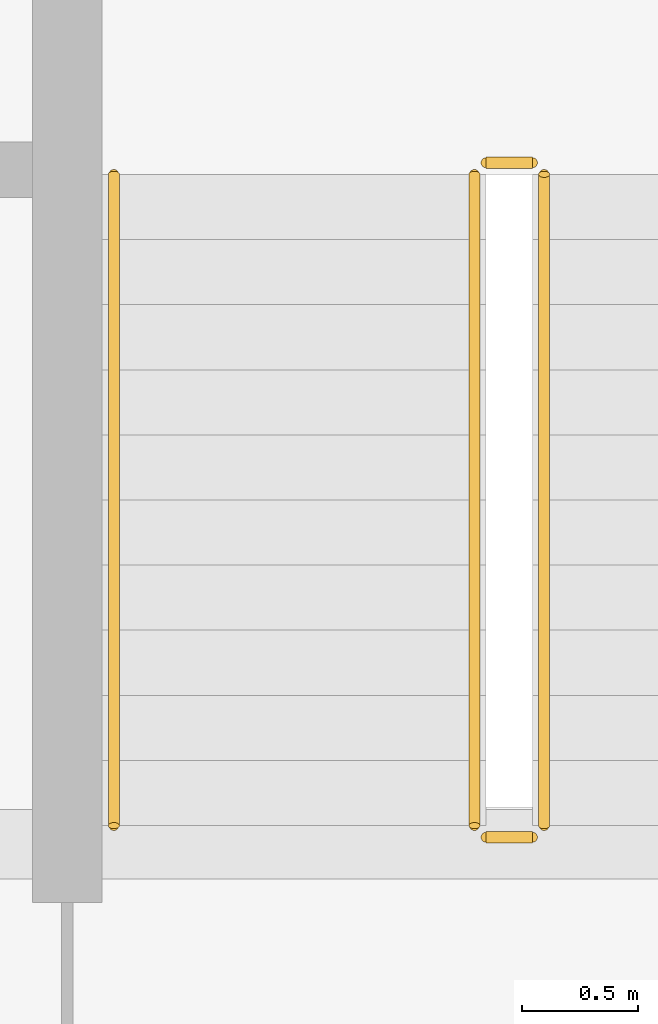
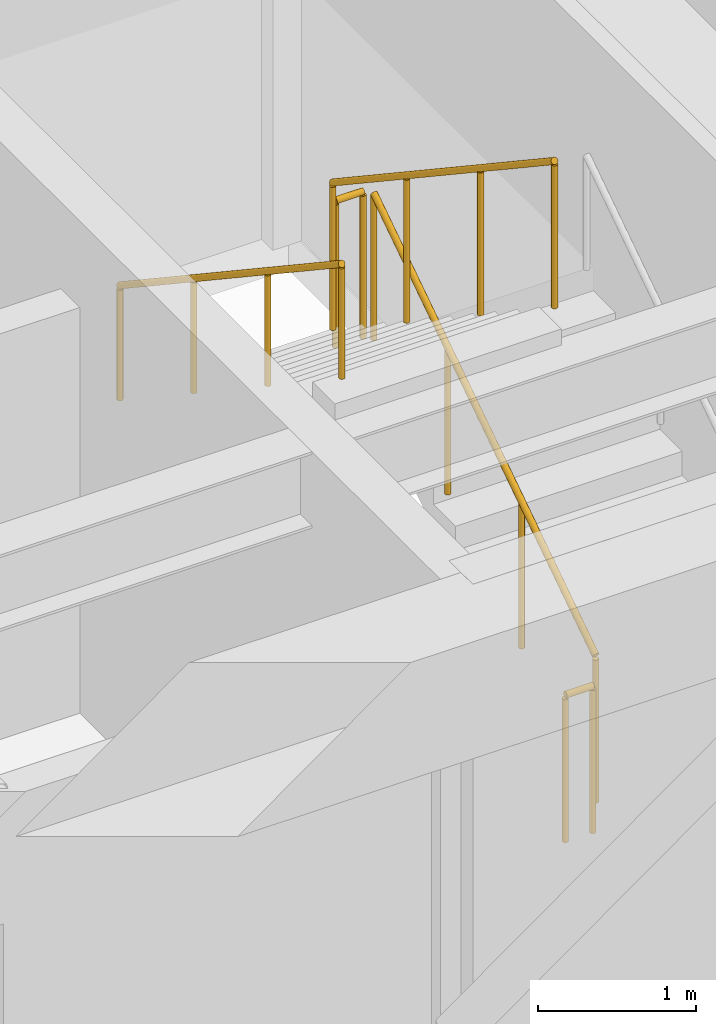
# One storey, part 33 of 34: 5 railings.
"""IFC4 building model written with IfcOpenShell, lengths in metres."""

from ifc_helpers import new_model, si_unit, direction, frame, origin, origin_2d, place, context, subcontext, project, spatial, circle, extrude, source, transform, mapped, material, type_object, type_shapes, element, save


model = new_model("IFC4")

# Units and contexts
model_context = context("Model", 3, precision=1e-05, world=origin(), true_north=direction((0.0, 1.0)))
body_context = subcontext(model_context, "Body", "Model", "MODEL_VIEW")
ifc_project = project(units=[si_unit("LENGTHUNIT", "METRE"), si_unit("AREAUNIT", "SQUARE_METRE"), si_unit("VOLUMEUNIT", "CUBIC_METRE"), si_unit("PLANEANGLEUNIT", "RADIAN"), si_unit("MASSUNIT", "GRAM", prefix="KILO")], contexts=[model_context])

# Site, building, storey
site_placement = place(None, origin())
site = spatial("IfcSite", under=ifc_project, at=site_placement, CompositionType="ELEMENT")
building_placement = place(site_placement, origin())
building = spatial("IfcBuilding", under=site, at=building_placement, Name="Haelvirn Gate Laboratories", CompositionType="ELEMENT")
storey_placement = place(building_placement, frame((0.0, 0.0, 109.199951171875)))
storey = spatial("IfcBuildingStorey", under=building, at=storey_placement, Name="L26", CompositionType="ELEMENT", Elevation=109.199951171875)

# Railings
ifc_material_1 = material(Name="Galvanised steel SM355 & stainless top rail", Category="steel")
railing_type_1 = type_object("IfcRailingType", Name="RL-GUARD-1150", PredefinedType="GUARDRAIL", material=ifc_material_1)
shared_shape_1 = source(origin(), body_context, "Body", "SweptSolid", [
    extrude(circle(Radius=0.02392578125, at=origin_2d()), frame((0.0, 0.0, 1.1259765625), z_axis=(0.0, 0.832485552168, 0.554046753832), x_axis=(-1.0, 0.0, 0.0)), (0.0, 0.0, 1.0), 3.363525390625),
    extrude(circle(Radius=0.02099609375, at=origin_2d()), origin(), (0.0, 0.0, 1.0), 1.101806640625),
    extrude(circle(Radius=0.02099609375, at=origin_2d()), frame((0.0, 0.933349609375, 0.62109375)), (0.0, 0.0, 1.0), 1.101806640625),
    extrude(circle(Radius=0.02099609375, at=origin_2d()), frame((0.0, 1.86669921875, 1.242431640625)), (0.0, 0.0, 1.0), 1.101806640625),
    extrude(circle(Radius=0.02099609375, at=origin_2d()), frame((0.0, 2.800048828125, 1.863525390625)), (0.0, 0.0, 1.0), 1.101806640625),
])
railing_1_placement = place(storey_placement, frame((65.39990234375, 26.699951171875, 0.1865234375)))
element("IfcRailing", 1, at=railing_1_placement, inside=storey, type_object=railing_type_1, Name="L26 ST2 stair guard 1", PredefinedType="GUARDRAIL", context=body_context, shape_type="MappedRepresentation", body=[
    mapped(shared_shape_1, transform((0.0, 0.0, 0.0), scale=1.0)),
])
shared_shape_2 = source(origin(), body_context, "Body", "SweptSolid", [
    extrude(circle(Radius=0.02392578125, at=origin_2d()), frame((0.0, 0.0, 1.1259765625), z_axis=(0.0, -0.832452072856, 0.554097055034), x_axis=(1.0, 0.0, 0.0)), (0.0, 0.0, 1.0), 3.363525390625),
    extrude(circle(Radius=0.02099609375, at=origin_2d()), origin(), (0.0, 0.0, 1.0), 1.101806640625),
    extrude(circle(Radius=0.02099609375, at=origin_2d()), frame((0.0, -0.933349609375, 0.621337890625)), (0.0, 0.0, 1.0), 1.101806640625),
    extrude(circle(Radius=0.02099609375, at=origin_2d()), frame((0.0, -1.86669921875, 1.242431640625)), (0.0, 0.0, 1.0), 1.101806640625),
    extrude(circle(Radius=0.02099609375, at=origin_2d()), frame((0.0, -2.800048828125, 1.86376953125)), (0.0, 0.0, 1.0), 1.101806640625),
])
railing_2_placement = place(storey_placement, frame((65.10009765625, 29.5, 2.236328125)))
element("IfcRailing", 2, at=railing_2_placement, inside=storey, type_object=railing_type_1, Name="L26 ST2 stair guard 3", PredefinedType="GUARDRAIL", context=body_context, shape_type="MappedRepresentation", body=[
    mapped(shared_shape_2, transform((0.0, 0.0, 0.0), scale=1.0)),
])
ifc_material_2 = material(Name="Brushed stainless steel 316L", Category="steel")
railing_type_2 = type_object("IfcRailingType", Name="RL-HAND-920", PredefinedType="HANDRAIL", material=ifc_material_2)
shared_shape_3 = source(origin(), body_context, "Body", "SweptSolid", [
    extrude(circle(Radius=0.02392578125, at=origin_2d()), frame((0.0, 0.0, 0.8759765625), z_axis=(0.0, -0.832452072856, 0.554097055034), x_axis=(1.0, 0.0, 0.0)), (0.0, 0.0, 1.0), 3.363525390625),
    extrude(circle(Radius=0.02099609375, at=origin_2d()), origin(), (0.0, 0.0, 1.0), 0.851806640625),
    extrude(circle(Radius=0.02099609375, at=origin_2d()), frame((0.0, -0.933349609375, 0.621337890625)), (0.0, 0.0, 1.0), 0.851806640625),
    extrude(circle(Radius=0.02099609375, at=origin_2d()), frame((0.0, -1.86669921875, 1.242431640625)), (0.0, 0.0, 1.0), 0.851806640625),
    extrude(circle(Radius=0.02099609375, at=origin_2d()), frame((0.0, -2.800048828125, 1.86376953125)), (0.0, 0.0, 1.0), 0.851806640625),
])
type_shapes(railing_type_2, [shared_shape_3])
railing_3_placement = place(storey_placement, frame((63.550048828125, 29.5, 2.236328125)))
element("IfcRailing", 3, at=railing_3_placement, inside=storey, type_object=railing_type_2, Name="L26 ST2 stair handrail 2", PredefinedType="HANDRAIL", context=body_context, shape_type="MappedRepresentation", body=[
    mapped(shared_shape_3, transform((0.0, 0.0, 0.0), scale=1.0)),
])
shared_shape_4 = source(origin(), body_context, "Body", "SweptSolid", [
    extrude(circle(Radius=0.02392578125, at=origin_2d()), frame((0.0, 0.0, 1.1259765625), z_axis=(-1.0, 0.0, 0.0), x_axis=(0.0, -1.0, 0.0)), (0.0, 0.0, 1.0), 0.2001953125),
    extrude(circle(Radius=0.02099609375, at=origin_2d()), origin(), (0.0, 0.0, 1.0), 1.101806640625),
    extrude(circle(Radius=0.02099609375, at=origin_2d()), frame((-0.2001953125, 0.0, 0.0)), (0.0, 0.0, 1.0), 1.101806640625),
])
type_shapes(railing_type_1, [shared_shape_1, shared_shape_2, shared_shape_4])
for number, where, name in (
    (4, (65.35009765625, 29.550048828125, 2.050048828125), "L26 ST2 stair guard 2"),
    (5, (65.35009765625, 26.64990234375, 0.0), "L26 ST2 stair guard 4"),
):
    element("IfcRailing", number, at=place(storey_placement, frame(where)), inside=storey, type_object=railing_type_1, Name=name, PredefinedType="GUARDRAIL", context=body_context, shape_type="MappedRepresentation", body=[
        mapped(shared_shape_4, transform((0.0, 0.0, 0.0), scale=1.0)),
    ])

save(model, "model.ifc")
